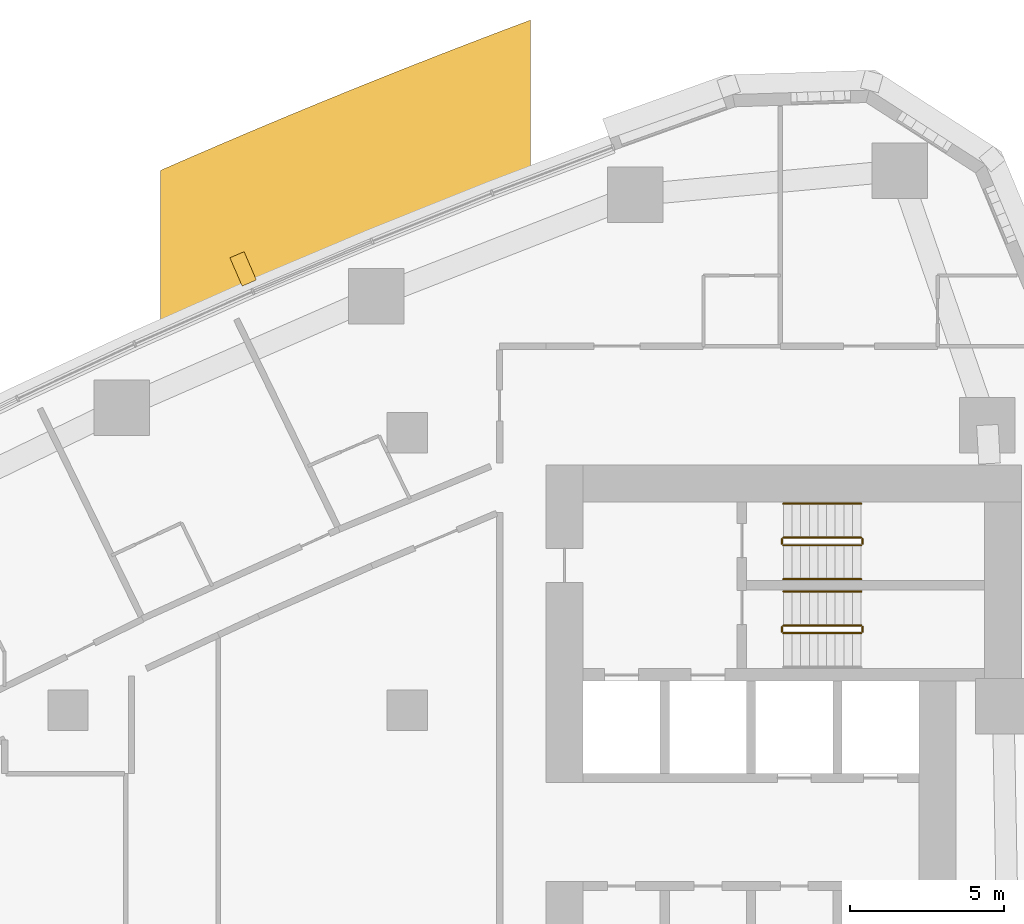
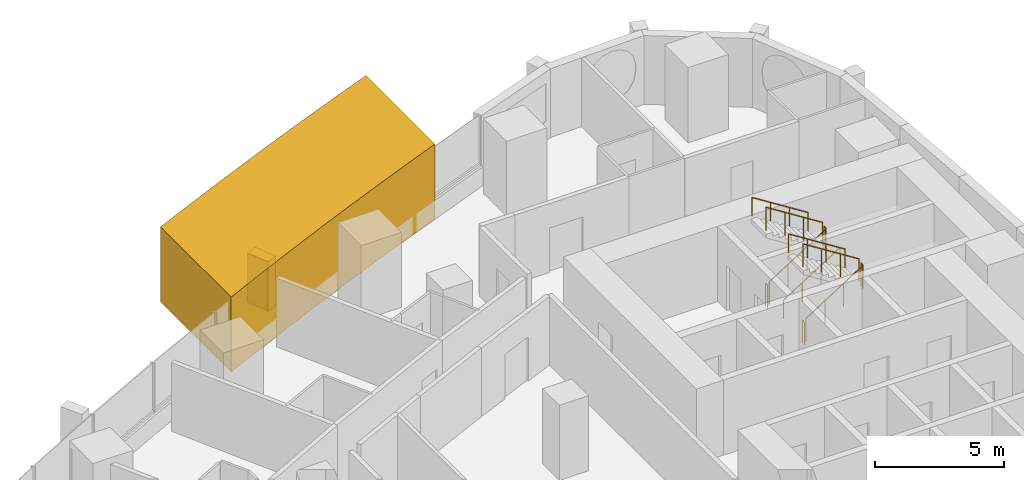
# One storey, part 18 of 19: 11 railings, 2 coverings.
"""IFC4 building model written with IfcOpenShell, lengths in metres."""

from ifc_helpers import new_model, si_unit, direction, frame, frame_2d, origin, origin_2d, place, context, subcontext, project, spatial, polyline, rectangle, circle, outline, extrude, material, layer, layer_set, type_object, element, save


model = new_model("IFC4")

# Units and contexts
model_context = context("Model", 3, precision=1e-05, world=origin(), true_north=direction((0.0, 1.0)))
body_context = subcontext(model_context, "Body", "Model", "MODEL_VIEW")
ifc_project = project(units=[si_unit("LENGTHUNIT", "METRE"), si_unit("AREAUNIT", "SQUARE_METRE"), si_unit("VOLUMEUNIT", "CUBIC_METRE"), si_unit("PLANEANGLEUNIT", "RADIAN"), si_unit("MASSUNIT", "GRAM", prefix="KILO")], contexts=[model_context])

# Site, building, storey
site_placement = place(None, origin())
site = spatial("IfcSite", under=ifc_project, at=site_placement, CompositionType="ELEMENT")
building_placement = place(site_placement, origin())
building = spatial("IfcBuilding", under=site, at=building_placement, Name="Ostrand Prow Hotel Tower", CompositionType="ELEMENT")
storey_placement = place(building_placement, frame((0.0, 0.0, 68.0)))
storey = spatial("IfcBuildingStorey", under=building, at=storey_placement, Name="L15", CompositionType="ELEMENT", Elevation=68.0)

# Coverings
ifc_material_1 = material(Name="Limestone cladding", Category="masonry")
ifc_layer_1 = layer(ifc_material_1, 5.0)
ifc_layer_set_1 = layer_set([ifc_layer_1], Name="Limestone cladding")
covering_type_1 = type_object("IfcCoveringType", Name="Portal jamb pilaster limestone", PredefinedType="CLADDING", material=ifc_layer_set_1)
covering_1_placement = place(storey_placement, origin())
element("IfcCovering", 1, at=covering_1_placement, inside=storey, type_object=covering_type_1, Name="Portal jamb NB L15", PredefinedType="CLADDING", context=body_context, shape_type="SweptSolid", body=[
    extrude(outline(polyline([(37.0, 21.037109375), (38.0, 21.484619140625), (39.0, 21.9267578125), (40.0, 22.363037109375), (41.0, 22.793701171875), (42.0, 23.218505859375), (43.0, 23.637939453125), (44.0, 24.051513671875), (45.0, 24.459716796875), (46.0, 24.862548828125), (47.0, 25.259765625), (48.0, 25.6513671875), (49.0, 26.03759765625), (49.0, 31.384521484375), (48.0, 31.0078125), (47.0, 30.62548828125), (46.0, 30.23828125), (45.0, 29.845703125), (44.0, 29.447509765625), (43.0, 29.044189453125), (42.0, 28.635498046875), (41.0, 28.22119140625), (40.0, 27.801513671875), (39.0, 27.376220703125), (38.0, 26.945556640625), (37.0, 26.50927734375), (37.0, 21.037109375)])), origin(), (0.0, 0.0, 1.0), 3.550048828125),
])
ifc_material_2 = material(Name="Limestone cladding", Category="masonry")
ifc_layer_2 = layer(ifc_material_2, 0.5)
ifc_layer_set_2 = layer_set([ifc_layer_2], Name="Limestone cladding")
covering_type_2 = type_object("IfcCoveringType", Name="Precast stone fin 500x900", PredefinedType="CLADDING", material=ifc_layer_set_2)
covering_2_placement = place(storey_placement, frame((39.876220703125, 22.854248046875, 0.89990234375), z_axis=(0.0, 0.0, 1.0), x_axis=(-0.397216867903, 0.917724773477, 0.0)))
element("IfcCovering", 2, at=covering_2_placement, inside=storey, type_object=covering_type_2, Name="Stone fin N 4", PredefinedType="CLADDING", context=body_context, shape_type="SweptSolid", body=[
    extrude(rectangle(XDim=1.0, YDim=0.5, at=frame_2d((0.5, 0.0))), origin(), (0.0, 0.0, 1.0), 2.35009765625),
])

# Railings
ifc_material_3 = material(Name="Painted steel", Category="steel")
railing_type_1 = type_object("IfcRailingType", Name="Stair guard 1100", PredefinedType="GUARDRAIL", material=ifc_material_3)
railing_1_placement = place(storey_placement, frame((57.199951171875, 11.5, 0.177490234375)))
element("IfcRailing", 3, at=railing_1_placement, inside=storey, type_object=railing_type_1, Name="L15 ST1C stair guard 1", PredefinedType="GUARDRAIL", context=body_context, shape_type="SweptSolid", body=[
    extrude(circle(Radius=0.02392578125, at=origin_2d()), frame((0.0, 0.0, 1.076171875), z_axis=(0.84460694969, 0.0, 0.535386869969), x_axis=(0.0, 1.0, 0.0)), (0.0, 0.0, 1.0), 2.983642578125),
    extrude(circle(Radius=0.02099609375, at=origin_2d()), origin(), (0.0, 0.0, 1.0), 1.052001953125),
    extrude(circle(Radius=0.02099609375, at=origin_2d()), frame((0.840087890625, 0.0, 0.532470703125)), (0.0, 0.0, 1.0), 1.052001953125),
    extrude(circle(Radius=0.02099609375, at=origin_2d()), frame((1.679931640625, 0.0, 1.06494140625)), (0.0, 0.0, 1.0), 1.052001953125),
    extrude(circle(Radius=0.02099609375, at=origin_2d()), frame((2.52001953125, 0.0, 1.597412109375)), (0.0, 0.0, 1.0), 1.052001953125),
])
railing_2_placement = place(storey_placement, frame((59.77001953125, 11.550048828125, 1.77490234375)))
element("IfcRailing", 4, at=railing_2_placement, inside=storey, type_object=railing_type_1, Name="L15 ST1C stair guard 2", PredefinedType="GUARDRAIL", context=body_context, shape_type="SweptSolid", body=[
    extrude(circle(Radius=0.02392578125, at=origin_2d()), frame((0.0, 0.0, 1.076171875), z_axis=(0.0, 1.0, 0.0), x_axis=(-1.0, 0.0, 0.0)), (0.0, 0.0, 1.0), 0.14990234375),
    extrude(circle(Radius=0.02099609375, at=origin_2d()), origin(), (0.0, 0.0, 1.0), 1.052001953125),
    extrude(circle(Radius=0.02099609375, at=origin_2d()), frame((0.0, 0.14990234375, 0.0)), (0.0, 0.0, 1.0), 1.052001953125),
])
railing_3_placement = place(storey_placement, frame((59.719970703125, 11.75, 1.952392578125)))
element("IfcRailing", 5, at=railing_3_placement, inside=storey, type_object=railing_type_1, Name="L15 ST1C stair guard 3", PredefinedType="GUARDRAIL", context=body_context, shape_type="SweptSolid", body=[
    extrude(circle(Radius=0.02392578125, at=origin_2d()), frame((0.0, 0.0, 1.076171875), z_axis=(-0.84456994832, 0.0, 0.535445237532), x_axis=(0.0, -1.0, 0.0)), (0.0, 0.0, 1.0), 2.98388671875),
    extrude(circle(Radius=0.02099609375, at=origin_2d()), origin(), (0.0, 0.0, 1.0), 1.052001953125),
    extrude(circle(Radius=0.02099609375, at=origin_2d()), frame((-0.840087890625, 0.0, 0.532470703125)), (0.0, 0.0, 1.0), 1.052001953125),
    extrude(circle(Radius=0.02099609375, at=origin_2d()), frame((-1.679931640625, 0.0, 1.065185546875)), (0.0, 0.0, 1.0), 1.052001953125),
    extrude(circle(Radius=0.02099609375, at=origin_2d()), frame((-2.52001953125, 0.0, 1.59765625)), (0.0, 0.0, 1.0), 1.052001953125),
])
railing_4_placement = place(storey_placement, frame((57.14990234375, 11.550048828125, 0.0)))
element("IfcRailing", 6, at=railing_4_placement, inside=storey, type_object=railing_type_1, Name="L15 ST1C stair guard 4", PredefinedType="GUARDRAIL", context=body_context, shape_type="SweptSolid", body=[
    extrude(circle(Radius=0.02392578125, at=origin_2d()), frame((0.0, 0.0, 1.076171875), z_axis=(0.0, 1.0, 0.0), x_axis=(-1.0, 0.0, 0.0)), (0.0, 0.0, 1.0), 0.14990234375),
    extrude(circle(Radius=0.02099609375, at=origin_2d()), origin(), (0.0, 0.0, 1.0), 1.052001953125),
    extrude(circle(Radius=0.02099609375, at=origin_2d()), frame((0.0, 0.14990234375, 0.0)), (0.0, 0.0, 1.0), 1.052001953125),
])
railing_5_placement = place(storey_placement, frame((57.199951171875, 14.35009765625, 0.177490234375)))
element("IfcRailing", 7, at=railing_5_placement, inside=storey, type_object=railing_type_1, Name="L15 ST3C stair guard 1", PredefinedType="GUARDRAIL", context=body_context, shape_type="SweptSolid", body=[
    extrude(circle(Radius=0.02392578125, at=origin_2d()), frame((0.0, 0.0, 1.076171875), z_axis=(0.84460694969, 0.0, 0.535386869969), x_axis=(0.0, 1.0, 0.0)), (0.0, 0.0, 1.0), 2.983642578125),
    extrude(circle(Radius=0.02099609375, at=origin_2d()), origin(), (0.0, 0.0, 1.0), 1.052001953125),
    extrude(circle(Radius=0.02099609375, at=origin_2d()), frame((0.840087890625, 0.0, 0.532470703125)), (0.0, 0.0, 1.0), 1.052001953125),
    extrude(circle(Radius=0.02099609375, at=origin_2d()), frame((1.679931640625, 0.0, 1.06494140625)), (0.0, 0.0, 1.0), 1.052001953125),
    extrude(circle(Radius=0.02099609375, at=origin_2d()), frame((2.52001953125, 0.0, 1.597412109375)), (0.0, 0.0, 1.0), 1.052001953125),
])
railing_6_placement = place(storey_placement, frame((59.77001953125, 14.39990234375, 1.77490234375)))
element("IfcRailing", 8, at=railing_6_placement, inside=storey, type_object=railing_type_1, Name="L15 ST3C stair guard 2", PredefinedType="GUARDRAIL", context=body_context, shape_type="SweptSolid", body=[
    extrude(circle(Radius=0.02392578125, at=origin_2d()), frame((0.0, 0.0, 1.076171875), z_axis=(0.0, 1.0, 0.0), x_axis=(-1.0, 0.0, 0.0)), (0.0, 0.0, 1.0), 0.150146484375),
    extrude(circle(Radius=0.02099609375, at=origin_2d()), origin(), (0.0, 0.0, 1.0), 1.052001953125),
    extrude(circle(Radius=0.02099609375, at=origin_2d()), frame((0.0, 0.150146484375, 0.0)), (0.0, 0.0, 1.0), 1.052001953125),
])
railing_7_placement = place(storey_placement, frame((59.719970703125, 14.60009765625, 1.952392578125)))
element("IfcRailing", 9, at=railing_7_placement, inside=storey, type_object=railing_type_1, Name="L15 ST3C stair guard 3", PredefinedType="GUARDRAIL", context=body_context, shape_type="SweptSolid", body=[
    extrude(circle(Radius=0.02392578125, at=origin_2d()), frame((0.0, 0.0, 1.076171875), z_axis=(-0.84456994832, 0.0, 0.535445237532), x_axis=(0.0, -1.0, 0.0)), (0.0, 0.0, 1.0), 2.98388671875),
    extrude(circle(Radius=0.02099609375, at=origin_2d()), origin(), (0.0, 0.0, 1.0), 1.052001953125),
    extrude(circle(Radius=0.02099609375, at=origin_2d()), frame((-0.840087890625, 0.0, 0.532470703125)), (0.0, 0.0, 1.0), 1.052001953125),
    extrude(circle(Radius=0.02099609375, at=origin_2d()), frame((-1.679931640625, 0.0, 1.065185546875)), (0.0, 0.0, 1.0), 1.052001953125),
    extrude(circle(Radius=0.02099609375, at=origin_2d()), frame((-2.52001953125, 0.0, 1.59765625)), (0.0, 0.0, 1.0), 1.052001953125),
])
railing_8_placement = place(storey_placement, frame((57.14990234375, 14.39990234375, 0.0)))
element("IfcRailing", 10, at=railing_8_placement, inside=storey, type_object=railing_type_1, Name="L15 ST3C stair guard 4", PredefinedType="GUARDRAIL", context=body_context, shape_type="SweptSolid", body=[
    extrude(circle(Radius=0.02392578125, at=origin_2d()), frame((0.0, 0.0, 1.076171875), z_axis=(0.0, 1.0, 0.0), x_axis=(-1.0, 0.0, 0.0)), (0.0, 0.0, 1.0), 0.150146484375),
    extrude(circle(Radius=0.02099609375, at=origin_2d()), origin(), (0.0, 0.0, 1.0), 1.052001953125),
    extrude(circle(Radius=0.02099609375, at=origin_2d()), frame((0.0, 0.150146484375, 0.0)), (0.0, 0.0, 1.0), 1.052001953125),
])
ifc_material_4 = material(Name="Stainless steel", Category="steel")
railing_type_2 = type_object("IfcRailingType", Name="Stair handrail 900", PredefinedType="HANDRAIL", material=ifc_material_4)
railing_9_placement = place(storey_placement, frame((59.719970703125, 12.85009765625, 1.952392578125)))
element("IfcRailing", 11, at=railing_9_placement, inside=storey, type_object=railing_type_2, Name="L15 ST1C stair handrail 2", PredefinedType="HANDRAIL", context=body_context, shape_type="SweptSolid", body=[
    extrude(circle(Radius=0.02392578125, at=origin_2d()), frame((0.0, 0.0, 0.8759765625), z_axis=(-0.84456994832, 0.0, 0.535445237532), x_axis=(0.0, -1.0, 0.0)), (0.0, 0.0, 1.0), 2.98388671875),
    extrude(circle(Radius=0.02099609375, at=origin_2d()), origin(), (0.0, 0.0, 1.0), 0.851806640625),
    extrude(circle(Radius=0.02099609375, at=origin_2d()), frame((-0.840087890625, 0.0, 0.532470703125)), (0.0, 0.0, 1.0), 0.851806640625),
    extrude(circle(Radius=0.02099609375, at=origin_2d()), frame((-1.679931640625, 0.0, 1.065185546875)), (0.0, 0.0, 1.0), 0.851806640625),
    extrude(circle(Radius=0.02099609375, at=origin_2d()), frame((-2.52001953125, 0.0, 1.59765625)), (0.0, 0.0, 1.0), 0.851806640625),
])
railing_10_placement = place(storey_placement, frame((57.199951171875, 13.25, 0.177490234375)))
element("IfcRailing", 12, at=railing_10_placement, inside=storey, type_object=railing_type_2, Name="L15 ST3C stair handrail 1", PredefinedType="HANDRAIL", context=body_context, shape_type="SweptSolid", body=[
    extrude(circle(Radius=0.02392578125, at=origin_2d()), frame((0.0, 0.0, 0.8759765625), z_axis=(0.84460694969, 0.0, 0.535386869969), x_axis=(0.0, 1.0, 0.0)), (0.0, 0.0, 1.0), 2.983642578125),
    extrude(circle(Radius=0.02099609375, at=origin_2d()), origin(), (0.0, 0.0, 1.0), 0.851806640625),
    extrude(circle(Radius=0.02099609375, at=origin_2d()), frame((0.840087890625, 0.0, 0.532470703125)), (0.0, 0.0, 1.0), 0.851806640625),
    extrude(circle(Radius=0.02099609375, at=origin_2d()), frame((1.679931640625, 0.0, 1.06494140625)), (0.0, 0.0, 1.0), 0.851806640625),
    extrude(circle(Radius=0.02099609375, at=origin_2d()), frame((2.52001953125, 0.0, 1.597412109375)), (0.0, 0.0, 1.0), 0.851806640625),
])
railing_11_placement = place(storey_placement, frame((59.719970703125, 15.699951171875, 1.952392578125)))
element("IfcRailing", 13, at=railing_11_placement, inside=storey, type_object=railing_type_2, Name="L15 ST3C stair handrail 2", PredefinedType="HANDRAIL", context=body_context, shape_type="SweptSolid", body=[
    extrude(circle(Radius=0.02392578125, at=origin_2d()), frame((0.0, 0.0, 0.8759765625), z_axis=(-0.84456994832, 0.0, 0.535445237532), x_axis=(0.0, -1.0, 0.0)), (0.0, 0.0, 1.0), 2.98388671875),
    extrude(circle(Radius=0.02099609375, at=origin_2d()), origin(), (0.0, 0.0, 1.0), 0.851806640625),
    extrude(circle(Radius=0.02099609375, at=origin_2d()), frame((-0.840087890625, 0.0, 0.532470703125)), (0.0, 0.0, 1.0), 0.851806640625),
    extrude(circle(Radius=0.02099609375, at=origin_2d()), frame((-1.679931640625, 0.0, 1.065185546875)), (0.0, 0.0, 1.0), 0.851806640625),
    extrude(circle(Radius=0.02099609375, at=origin_2d()), frame((-2.52001953125, 0.0, 1.59765625)), (0.0, 0.0, 1.0), 0.851806640625),
])

save(model, "model.ifc")
